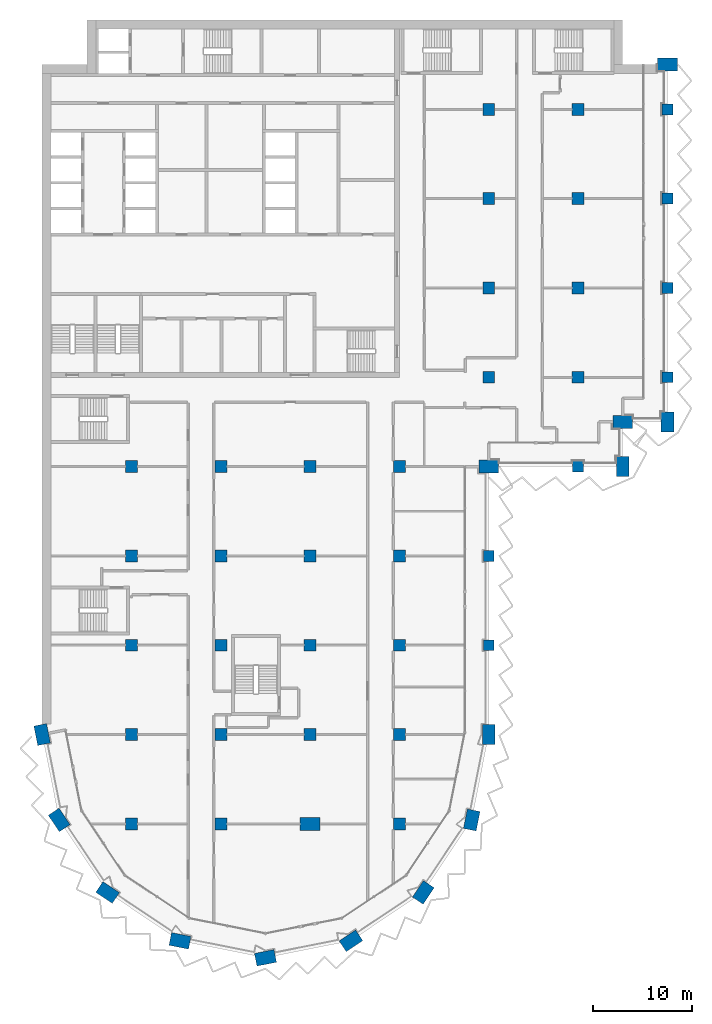
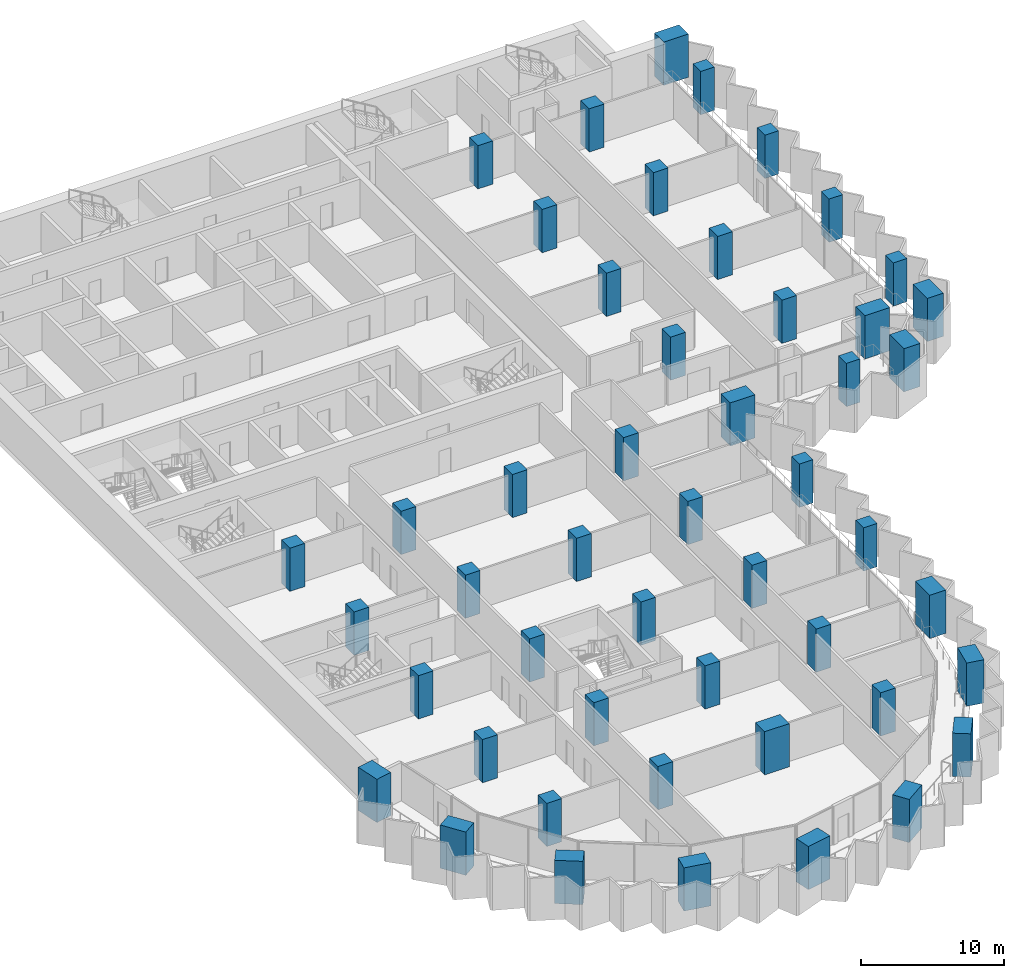
# One storey, part 1 of 22: 49 columns.
"""IFC4 building model written with IfcOpenShell, lengths in metres."""

from ifc_helpers import new_model, si_unit, direction, frame, origin, origin_2d, place, context, subcontext, project, spatial, rectangle, extrude, material, material_profile, profile_set, type_object, element, save


model = new_model("IFC4")

# Units and contexts
model_context = context("Model", 3, precision=1e-05, world=origin(), true_north=direction((0.0, 1.0)))
body_context = subcontext(model_context, "Body", "Model", "MODEL_VIEW")
ifc_project = project(units=[si_unit("LENGTHUNIT", "METRE"), si_unit("AREAUNIT", "SQUARE_METRE"), si_unit("VOLUMEUNIT", "CUBIC_METRE"), si_unit("PLANEANGLEUNIT", "RADIAN"), si_unit("MASSUNIT", "GRAM", prefix="KILO")], contexts=[model_context])

# Site, building, storey
site_placement = place(None, origin())
site = spatial("IfcSite", under=ifc_project, at=site_placement, CompositionType="ELEMENT")
building_placement = place(site_placement, origin())
building = spatial("IfcBuilding", under=site, at=building_placement, Name="Hunhe Ridgeline Campus", CompositionType="ELEMENT")
storey_placement = place(building_placement, frame((0.0, 0.0, 133.800048828125)))
storey = spatial("IfcBuildingStorey", under=building, at=storey_placement, Name="L33", CompositionType="ELEMENT", Elevation=133.800048828125)

# Columns
ifc_material = material(Name="Concrete C70", Category="concrete")
ifc_material_profile_1 = material_profile(ifc_material, rectangle(XDim=2.0, YDim=1.300048828125, at=origin_2d()))
ifc_profile_set_1 = profile_set([ifc_material_profile_1], Name="Concrete C70")
column_type_1 = type_object("IfcColumnType", Name="Megacolumn 2000x1300 Concrete C70", PredefinedType="COLUMN", material=ifc_profile_set_1)
for number, where, z_axis, x_axis, name in (
    (1, (22.5, 4.5, 0.0), (0.0, 0.0, 1.0), (0.980785280403, 0.195090322016, 0.0), "Column C9 R1 L33"),
    (2, (13.8896484375, 6.212646484375, 0.0), (0.0, 0.0, 1.0), (-0.980785280403, 0.195090322016, 0.0), "Column C9 R2 L33"),
    (3, (31.1103515625, 6.212646484375, 0.0), (0.0, 0.0, 1.0), (0.831469612303, 0.55557023302, 0.0), "Column C9 R3 L33"),
    (4, (6.590087890625, 11.090087890625, 0.0), (0.0, 0.0, 1.0), (-0.831469612303, 0.55557023302, 0.0), "Column C9 R4 L33"),
    (5, (38.409912109375, 11.090087890625, 0.0), (0.0, 0.0, 1.0), (0.55557023302, 0.831469612303, 0.0), "Column C9 R5 L33"),
    (6, (1.712646484375, 18.3896484375, 0.0), (0.0, 0.0, 1.0), (-0.55557023302, 0.831469612303, 0.0), "Column C9 R9 L33"),
    (7, (43.287353515625, 18.3896484375, 0.0), (0.0, 0.0, 1.0), (0.195090322016, 0.980785280403, 0.0), "Column C9 R10 L33"),
    (8, (0.0, 27.0, 0.0), (0.0, 0.0, 1.0), (-0.195090322016, 0.980785280403, 0.0), "Column C9 D1 L33"),
    (9, (45.0, 27.0, 0.0), (0.0, 0.0, 1.0), (0.0, 1.0, 0.0), "Column C9 D6 L33"),
    (10, (45.0, 54.0, 0.0), (0.0, 0.0, 1.0), (1.0, 0.0, 0.0), "Column C9 G6 L33"),
    (11, (58.5, 54.0, 0.0), (0.0, 0.0, 1.0), (0.0, 1.0, 0.0), "Column C9 R30 L33"),
    (12, (58.5, 58.5, 0.0), (0.0, 0.0, 1.0), (1.0, 0.0, 0.0), "Column C9 R35 L33"),
    (13, (63.0, 58.5, 0.0), (0.0, 0.0, 1.0), (0.0, 1.0, 0.0), "Column C9 R36 L33"),
    (14, (63.0, 94.5, 0.0), (0.0, 0.0, 1.0), (1.0, 0.0, 0.0), "Column C9 R42 L33"),
    (15, (27.0, 18.0, 0.0), (0.0, 0.0, 1.0), (1.0, 0.0, 0.0), "Column C9 C4 L33"),
):
    element("IfcColumn", number, at=place(storey_placement, frame(where, z_axis=z_axis, x_axis=x_axis)), inside=storey, type_object=column_type_1, Name=name, PredefinedType="COLUMN", context=body_context, shape_type="SweptSolid", body=[
        extrude(rectangle(XDim=2.0, YDim=1.300048828125, at=origin_2d()), origin(), (0.0, 0.0, 1.0), 3.699951171875),
    ])
ifc_material_profile_2 = material_profile(ifc_material, rectangle(XDim=1.10009765625, YDim=1.10009765625, at=origin_2d()))
ifc_profile_set_2 = profile_set([ifc_material_profile_2], Name="Concrete C70")
column_type_2 = type_object("IfcColumnType", Name="RC column 1100x1100 Concrete C70", PredefinedType="COLUMN", material=ifc_profile_set_2)
for number, where, z_axis, x_axis, name in (
    (16, (45.0, 36.0, 0.0), (0.0, 0.0, 1.0), (1.0, 0.0, 0.0), "Column C10 E6 L33"),
    (17, (45.0, 45.0, 0.0), (0.0, 0.0, 1.0), (1.0, 0.0, 0.0), "Column C10 F6 L33"),
    (18, (54.0, 54.0, 0.0), (0.0, 0.0, 1.0), (1.0, 0.0, 0.0), "Column C10 G7 L33"),
    (19, (63.0, 63.0, 0.0), (0.0, 0.0, 1.0), (1.0, 0.0, 0.0), "Column C10 H8 L33"),
    (20, (63.0, 72.0, 0.0), (0.0, 0.0, 1.0), (1.0, 0.0, 0.0), "Column C10 I8 L33"),
    (21, (63.0, 81.0, 0.0), (0.0, 0.0, 1.0), (1.0, 0.0, 0.0), "Column C10 J8 L33"),
    (22, (63.0, 90.0, 0.0), (0.0, 0.0, 1.0), (1.0, 0.0, 0.0), "Column C10 K8 L33"),
):
    element("IfcColumn", number, at=place(storey_placement, frame(where, z_axis=z_axis, x_axis=x_axis)), inside=storey, type_object=column_type_2, Name=name, PredefinedType="COLUMN", context=body_context, shape_type="SweptSolid", body=[
        extrude(rectangle(XDim=1.10009765625, YDim=1.10009765625, at=origin_2d()), origin(), (0.0, 0.0, 1.0), 3.699951171875),
    ])
ifc_material_profile_3 = material_profile(ifc_material, rectangle(XDim=1.199951171875, YDim=1.199951171875, at=origin_2d()))
ifc_profile_set_3 = profile_set([ifc_material_profile_3], Name="Concrete C70")
column_type_3 = type_object("IfcColumnType", Name="RC column 1200x1200 Concrete C70", PredefinedType="COLUMN", material=ifc_profile_set_3)
for number, where, z_axis, x_axis, name in (
    (23, (9.0, 18.0, 0.0), (0.0, 0.0, 1.0), (1.0, 0.0, 0.0), "Column C7 C2 L33"),
    (24, (9.0, 27.0, 0.0), (0.0, 0.0, 1.0), (1.0, 0.0, 0.0), "Column C7 D2 L33"),
    (25, (9.0, 36.0, 0.0), (0.0, 0.0, 1.0), (1.0, 0.0, 0.0), "Column C7 E2 L33"),
    (26, (9.0, 45.0, 0.0), (0.0, 0.0, 1.0), (1.0, 0.0, 0.0), "Column C7 F2 L33"),
    (27, (9.0, 54.0, 0.0), (0.0, 0.0, 1.0), (1.0, 0.0, 0.0), "Column C7 G2 L33"),
    (28, (18.0, 18.0, 0.0), (0.0, 0.0, 1.0), (1.0, 0.0, 0.0), "Column C7 C3 L33"),
    (29, (18.0, 27.0, 0.0), (0.0, 0.0, 1.0), (1.0, 0.0, 0.0), "Column C7 D3 L33"),
    (30, (18.0, 36.0, 0.0), (0.0, 0.0, 1.0), (1.0, 0.0, 0.0), "Column C7 E3 L33"),
    (31, (18.0, 45.0, 0.0), (0.0, 0.0, 1.0), (1.0, 0.0, 0.0), "Column C7 F3 L33"),
    (32, (18.0, 54.0, 0.0), (0.0, 0.0, 1.0), (1.0, 0.0, 0.0), "Column C7 G3 L33"),
    (33, (27.0, 27.0, 0.0), (0.0, 0.0, 1.0), (1.0, 0.0, 0.0), "Column C7 D4 L33"),
    (34, (27.0, 36.0, 0.0), (0.0, 0.0, 1.0), (1.0, 0.0, 0.0), "Column C7 E4 L33"),
    (35, (27.0, 45.0, 0.0), (0.0, 0.0, 1.0), (1.0, 0.0, 0.0), "Column C7 F4 L33"),
    (36, (27.0, 54.0, 0.0), (0.0, 0.0, 1.0), (1.0, 0.0, 0.0), "Column C7 G4 L33"),
    (37, (36.0, 18.0, 0.0), (0.0, 0.0, 1.0), (1.0, 0.0, 0.0), "Column C7 C5 L33"),
    (38, (36.0, 27.0, 0.0), (0.0, 0.0, 1.0), (1.0, 0.0, 0.0), "Column C7 D5 L33"),
    (39, (36.0, 36.0, 0.0), (0.0, 0.0, 1.0), (1.0, 0.0, 0.0), "Column C7 E5 L33"),
    (40, (36.0, 45.0, 0.0), (0.0, 0.0, 1.0), (1.0, 0.0, 0.0), "Column C7 F5 L33"),
    (41, (36.0, 54.0, 0.0), (0.0, 0.0, 1.0), (1.0, 0.0, 0.0), "Column C7 G5 L33"),
    (42, (45.0, 63.0, 0.0), (0.0, 0.0, 1.0), (1.0, 0.0, 0.0), "Column C7 H6 L33"),
    (43, (45.0, 72.0, 0.0), (0.0, 0.0, 1.0), (1.0, 0.0, 0.0), "Column C7 I6 L33"),
    (44, (45.0, 81.0, 0.0), (0.0, 0.0, 1.0), (1.0, 0.0, 0.0), "Column C7 J6 L33"),
    (45, (45.0, 90.0, 0.0), (0.0, 0.0, 1.0), (1.0, 0.0, 0.0), "Column C7 K6 L33"),
    (46, (54.0, 63.0, 0.0), (0.0, 0.0, 1.0), (1.0, 0.0, 0.0), "Column C7 H7 L33"),
    (47, (54.0, 72.0, 0.0), (0.0, 0.0, 1.0), (1.0, 0.0, 0.0), "Column C7 I7 L33"),
    (48, (54.0, 81.0, 0.0), (0.0, 0.0, 1.0), (1.0, 0.0, 0.0), "Column C7 J7 L33"),
    (49, (54.0, 90.0, 0.0), (0.0, 0.0, 1.0), (1.0, 0.0, 0.0), "Column C7 K7 L33"),
):
    element("IfcColumn", number, at=place(storey_placement, frame(where, z_axis=z_axis, x_axis=x_axis)), inside=storey, type_object=column_type_3, Name=name, PredefinedType="COLUMN", context=body_context, shape_type="SweptSolid", body=[
        extrude(rectangle(XDim=1.199951171875, YDim=1.199951171875, at=origin_2d()), origin(), (0.0, 0.0, 1.0), 3.699951171875),
    ])

save(model, "model.ifc")
